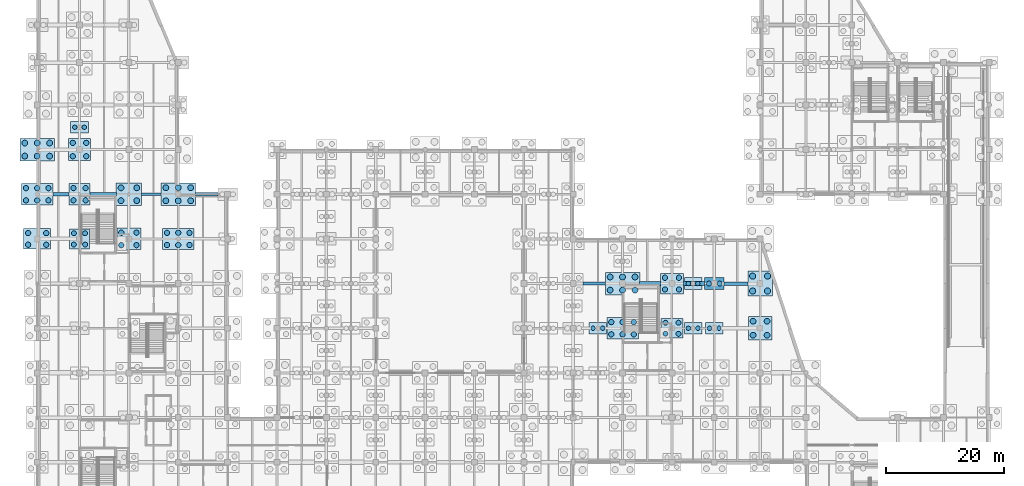
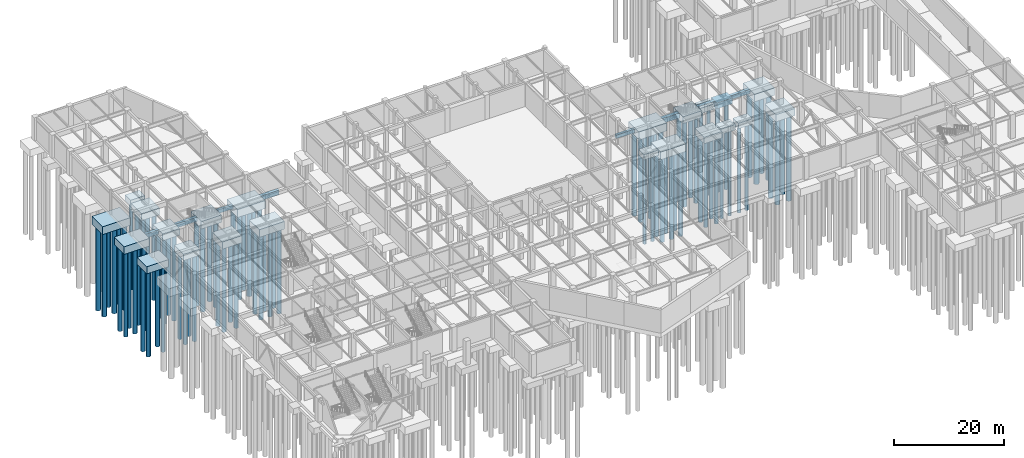
# One storey, part 7 of 52: 88 piles, 30 footings.
"""IFC4 building model written with IfcOpenShell, lengths in metres."""

from ifc_helpers import new_model, si_unit, direction, frame, origin, origin_2d, place, context, subcontext, project, spatial, rectangle, circle, extrude, material, material_profile, profile_set, type_object, element, save


model = new_model("IFC4")

# Units and contexts
model_context = context("Model", 3, precision=1e-05, world=origin(), true_north=direction((0.0, 1.0)))
body_context = subcontext(model_context, "Body", "Model", "MODEL_VIEW")
ifc_project = project(units=[si_unit("LENGTHUNIT", "METRE"), si_unit("AREAUNIT", "SQUARE_METRE"), si_unit("VOLUMEUNIT", "CUBIC_METRE"), si_unit("PLANEANGLEUNIT", "RADIAN"), si_unit("MASSUNIT", "GRAM", prefix="KILO")], contexts=[model_context])

# Site, building, storey
site_placement = place(None, origin())
site = spatial("IfcSite", under=ifc_project, at=site_placement, CompositionType="ELEMENT")
building_placement = place(site_placement, origin())
building = spatial("IfcBuilding", under=site, at=building_placement, Name="Xicomal Pleat Aquarium", CompositionType="ELEMENT")
storey_placement = place(building_placement, frame((0.0, 0.0, -5.39990234375)))
storey = spatial("IfcBuildingStorey", under=building, at=storey_placement, Name="B1", CompositionType="ELEMENT", Elevation=-5.39990234375)

# Footings
ifc_material_1 = material(Name="Concrete C40/50", Category="concrete")
ifc_material_profile_1 = material_profile(ifc_material_1, rectangle(XDim=0.5, YDim=0.800048828125, at=origin_2d()), Name="FB-01 500x800")
ifc_profile_set_1 = profile_set([ifc_material_profile_1], Name="Concrete C40/50")
footing_type_1 = type_object("IfcFootingType", Name="FTG-FB-500x800", PredefinedType="FOOTING_BEAM", material=ifc_profile_set_1)
footing_1_placement = place(storey_placement, frame((20.739990234375, 76.0, -1.0), z_axis=(1.0, 0.0, 0.0), x_axis=(0.0, 1.0, 0.0)))
element("IfcFooting", 1, at=footing_1_placement, inside=storey, type_object=footing_type_1, Name="Foundation tie beam 03-04/L", PredefinedType="FOOTING_BEAM", context=body_context, shape_type="SweptSolid", body=[
    extrude(rectangle(XDim=0.5, YDim=0.800048828125, at=origin_2d()), origin(), (0.0, 0.0, 1.0), 3.344970703125),
])
footing_2_placement = place(storey_placement, frame((95.889892578125, 60.800048828125, -1.35009765625), z_axis=(1.0, 0.0, 0.0), x_axis=(0.0, 1.0, 0.0)))
element("IfcFooting", 2, at=footing_2_placement, inside=storey, type_object=footing_type_1, Name="Foundation tie beam 12-13/J", PredefinedType="FOOTING_BEAM", context=body_context, shape_type="SweptSolid", body=[
    extrude(rectangle(XDim=0.5, YDim=0.800048828125, at=origin_2d()), origin(), (0.0, 0.0, 1.0), 3.795166015625),
])
ifc_material_2 = material(Name="Concrete C40/50", Category="concrete")
ifc_material_profile_2 = material_profile(ifc_material_2, rectangle(XDim=0.60009765625, YDim=0.89990234375, at=origin_2d()), Name="FB-02 600x900")
ifc_profile_set_2 = profile_set([ifc_material_profile_2], Name="Concrete C40/50")
footing_type_2 = type_object("IfcFootingType", Name="FTG-FB-600x900", PredefinedType="FOOTING_BEAM", material=ifc_profile_set_2)
footing_3_placement = place(storey_placement, frame((5.6650390625, 76.0, -1.050048828125), z_axis=(1.0, 0.0, 0.0), x_axis=(0.0, 1.0, 0.0)))
element("IfcFooting", 3, at=footing_3_placement, inside=storey, type_object=footing_type_2, Name="Foundation tie beam 01-02/L", PredefinedType="FOOTING_BEAM", context=body_context, shape_type="SweptSolid", body=[
    extrude(rectangle(XDim=0.60009765625, YDim=0.89990234375, at=origin_2d()), origin(), (0.0, 0.0, 1.0), 2.744873046875),
])
footing_4_placement = place(storey_placement, frame((11.989990234375, 76.0, -1.050048828125), z_axis=(1.0, 0.0, 0.0), x_axis=(0.0, 1.0, 0.0)))
element("IfcFooting", 4, at=footing_4_placement, inside=storey, type_object=footing_type_2, Name="Foundation tie beam 02-03/L", PredefinedType="FOOTING_BEAM", context=body_context, shape_type="SweptSolid", body=[
    extrude(rectangle(XDim=0.60009765625, YDim=0.89990234375, at=origin_2d()), origin(), (0.0, 0.0, 1.0), 4.469970703125),
])
footing_5_placement = place(storey_placement, frame((119.840087890625, 60.800048828125, -1.050048828125), z_axis=(1.0, 0.0, 0.0), x_axis=(0.0, 1.0, 0.0)))
element("IfcFooting", 5, at=footing_5_placement, inside=storey, type_object=footing_type_2, Name="Foundation tie beam 15-16/J", PredefinedType="FOOTING_BEAM", context=body_context, shape_type="SweptSolid", body=[
    extrude(rectangle(XDim=0.60009765625, YDim=0.89990234375, at=origin_2d()), origin(), (0.0, 0.0, 1.0), 4.06982421875),
])
ifc_material_3 = material(Name="Concrete C40/50", Category="concrete")
ifc_material_profile_3 = material_profile(ifc_material_3, rectangle(XDim=0.64990234375, YDim=1.0, at=origin_2d()), Name="FB-03 650x1000")
ifc_profile_set_3 = profile_set([ifc_material_profile_3], Name="Concrete C40/50")
footing_type_3 = type_object("IfcFootingType", Name="FTG-FB-650x1000", PredefinedType="FOOTING_BEAM", material=ifc_profile_set_3)
footing_6_placement = place(storey_placement, frame((29.9150390625, 76.0, -1.10009765625), z_axis=(1.0, 0.0, 0.0), x_axis=(0.0, 1.0, 0.0)))
element("IfcFooting", 6, at=footing_6_placement, inside=storey, type_object=footing_type_3, Name="Foundation tie beam 04-05/L", PredefinedType="FOOTING_BEAM", context=body_context, shape_type="SweptSolid", body=[
    extrude(rectangle(XDim=0.64990234375, YDim=1.0, at=origin_2d()), origin(), (0.0, 0.0, 1.0), 3.844970703125),
])
footing_7_placement = place(storey_placement, frame((112.93994140625, 60.800048828125, -1.10009765625), z_axis=(1.0, 0.0, 0.0), x_axis=(0.0, 1.0, 0.0)))
element("IfcFooting", 7, at=footing_7_placement, inside=storey, type_object=footing_type_3, Name="Foundation tie beam 14-15/J", PredefinedType="FOOTING_BEAM", context=body_context, shape_type="SweptSolid", body=[
    extrude(rectangle(XDim=0.64990234375, YDim=1.0, at=origin_2d()), origin(), (0.0, 0.0, 1.0), 3.6201171875),
])
ifc_material_4 = material(Name="Concrete C40/50", Category="concrete")
ifc_material_profile_4 = material_profile(ifc_material_4, rectangle(XDim=0.75, YDim=1.10009765625, at=origin_2d()), Name="FB-04 750x1100")
ifc_profile_set_4 = profile_set([ifc_material_profile_4], Name="Concrete C40/50")
footing_type_4 = type_object("IfcFootingType", Name="FTG-FB-750x1100", PredefinedType="FOOTING_BEAM", material=ifc_profile_set_4)
footing_8_placement = place(storey_placement, frame((105.514892578125, 60.800048828125, -1.150146484375), z_axis=(1.0, 0.0, 0.0), x_axis=(0.0, 1.0, 0.0)))
element("IfcFooting", 8, at=footing_8_placement, inside=storey, type_object=footing_type_4, Name="Foundation tie beam 13-14/J", PredefinedType="FOOTING_BEAM", context=body_context, shape_type="SweptSolid", body=[
    extrude(rectangle(XDim=0.75, YDim=1.10009765625, at=origin_2d()), origin(), (0.0, 0.0, 1.0), 3.545166015625),
])
ifc_material_5 = material(Name="Concrete C40/50", Category="concrete")
footing_type_5 = type_object("IfcFootingType", Name="FTG-PC-3000x2000x1200", PredefinedType="PILE_CAP", material=ifc_material_5)
for number, where, z_axis, x_axis, name in (
    (9, (118.199951171875, 53.199951171875, -1.80029296875), (0.0, 0.0, 1.0), (1.0, 0.0, 0.0), "Pile cap 15-H"),
    (10, (98.39990234375, 53.199951171875, -1.80029296875), (0.0, 0.0, 1.0), (1.0, 0.0, 0.0), "Pile cap SUB-21"),
    (11, (114.60009765625, 53.199951171875, -1.80029296875), (0.0, 0.0, 1.0), (1.0, 0.0, 0.0), "Pile cap SUB-22"),
    (12, (114.60009765625, 60.800048828125, -1.80029296875), (0.0, 0.0, 1.0), (1.0, 0.0, 0.0), "Pile cap SUB-23"),
    (13, (10.199951171875, 87.39990234375, -1.80029296875), (0.0, 0.0, 1.0), (1.0, 0.0, 0.0), "Pile cap SUB-33"),
):
    element("IfcFooting", number, at=place(storey_placement, frame(where, z_axis=z_axis, x_axis=x_axis)), inside=storey, type_object=footing_type_5, Name=name, PredefinedType="PILE_CAP", context=body_context, shape_type="SweptSolid", body=[
        extrude(rectangle(XDim=3.0, YDim=2.0, at=origin_2d()), origin(), (0.0, 0.0, 1.0), 1.199951171875),
    ])
ifc_material_6 = material(Name="Concrete C40/50", Category="concrete")
footing_type_6 = type_object("IfcFootingType", Name="FTG-PC-3300x2100x1300", PredefinedType="PILE_CAP", material=ifc_material_6)
footing_9_placement = place(storey_placement, frame((118.199951171875, 60.800048828125, -1.89990234375), z_axis=(0.0, 0.0, 1.0), x_axis=(1.0, 0.0, 0.0)))
element("IfcFooting", 14, at=footing_9_placement, inside=storey, type_object=footing_type_6, Name="Pile cap 15-J", PredefinedType="PILE_CAP", context=body_context, shape_type="SweptSolid", body=[
    extrude(rectangle(XDim=3.300048828125, YDim=2.10009765625, at=origin_2d()), origin(), (0.0, 0.0, 1.0), 1.300048828125),
])
ifc_material_7 = material(Name="Concrete C40/50", Category="concrete")
footing_type_7 = type_object("IfcFootingType", Name="FTG-PC-3400x3400x1400", PredefinedType="PILE_CAP", material=ifc_material_7)
footing_10_placement = place(storey_placement, frame((10.199951171875, 68.39990234375, -2.0), z_axis=(0.0, 0.0, 1.0), x_axis=(1.0, 0.0, 0.0)))
element("IfcFooting", 15, at=footing_10_placement, inside=storey, type_object=footing_type_7, Name="Pile cap 02-K", PredefinedType="PILE_CAP", context=body_context, shape_type="SweptSolid", body=[
    extrude(rectangle(XDim=3.39990234375, YDim=3.39990234375, at=origin_2d()), origin(), (0.0, 0.0, 1.0), 1.39990234375),
])
ifc_material_8 = material(Name="Concrete C40/50", Category="concrete")
footing_type_8 = type_object("IfcFootingType", Name="FTG-PC-3600x3600x1500", PredefinedType="PILE_CAP", material=ifc_material_8)
footing_11_placement = place(storey_placement, frame((10.199951171875, 76.0, -2.10009765625), z_axis=(0.0, 0.0, 1.0), x_axis=(1.0, 0.0, 0.0)))
element("IfcFooting", 16, at=footing_11_placement, inside=storey, type_object=footing_type_8, Name="Pile cap 02-L", PredefinedType="PILE_CAP", context=body_context, shape_type="SweptSolid", body=[
    extrude(rectangle(XDim=3.60009765625, YDim=3.60009765625, at=origin_2d()), origin(), (0.0, 0.0, 1.0), 1.5),
])
ifc_material_9 = material(Name="Concrete C40/50", Category="concrete")
footing_type_9 = type_object("IfcFootingType", Name="FTG-PC-3700x3350x1450", PredefinedType="PILE_CAP", material=ifc_material_9)
footing_12_placement = place(storey_placement, frame((111.0, 53.199951171875, -2.05029296875), z_axis=(0.0, 0.0, 1.0), x_axis=(1.0, 0.0, 0.0)))
element("IfcFooting", 17, at=footing_12_placement, inside=storey, type_object=footing_type_9, Name="Pile cap 14-H", PredefinedType="PILE_CAP", context=body_context, shape_type="SweptSolid", body=[
    extrude(rectangle(XDim=3.699951171875, YDim=3.35009765625, at=origin_2d()), origin(), (0.0, 0.0, 1.0), 1.449951171875),
])
ifc_material_10 = material(Name="Concrete C40/50", Category="concrete")
footing_type_10 = type_object("IfcFootingType", Name="FTG-PC-3800x3800x1550", PredefinedType="PILE_CAP", material=ifc_material_10)
footing_13_placement = place(storey_placement, frame((10.199951171875, 83.60009765625, -2.14990234375), z_axis=(0.0, 0.0, 1.0), x_axis=(1.0, 0.0, 0.0)))
element("IfcFooting", 18, at=footing_13_placement, inside=storey, type_object=footing_type_10, Name="Pile cap 02-M", PredefinedType="PILE_CAP", context=body_context, shape_type="SweptSolid", body=[
    extrude(rectangle(XDim=3.800048828125, YDim=3.800048828125, at=origin_2d()), origin(), (0.0, 0.0, 1.0), 1.550048828125),
])
ifc_material_11 = material(Name="Concrete C40/50", Category="concrete")
footing_type_11 = type_object("IfcFootingType", Name="FTG-PC-3900x3500x1500", PredefinedType="PILE_CAP", material=ifc_material_11)
footing_14_placement = place(storey_placement, frame((111.0, 60.800048828125, -2.10009765625), z_axis=(0.0, 0.0, 1.0), x_axis=(1.0, 0.0, 0.0)))
element("IfcFooting", 19, at=footing_14_placement, inside=storey, type_object=footing_type_11, Name="Pile cap 14-J", PredefinedType="PILE_CAP", context=body_context, shape_type="SweptSolid", body=[
    extrude(rectangle(XDim=3.89990234375, YDim=3.5, at=origin_2d()), origin(), (0.0, 0.0, 1.0), 1.5),
])
ifc_material_12 = material(Name="Concrete C40/50", Category="concrete")
footing_type_12 = type_object("IfcFootingType", Name="FTG-PC-4000x4000x1600", PredefinedType="PILE_CAP", material=ifc_material_12)
footing_15_placement = place(storey_placement, frame((126.0, 53.199951171875, -2.2001953125), z_axis=(0.0, 0.0, 1.0), x_axis=(1.0, 0.0, 0.0)))
element("IfcFooting", 20, at=footing_15_placement, inside=storey, type_object=footing_type_12, Name="Pile cap 16-H", PredefinedType="PILE_CAP", context=body_context, shape_type="SweptSolid", body=[
    extrude(rectangle(XDim=4.0, YDim=4.0, at=origin_2d()), origin(), (0.0, 0.0, 1.0), 1.60009765625),
])
ifc_material_13 = material(Name="Concrete C40/50", Category="concrete")
footing_type_13 = type_object("IfcFootingType", Name="FTG-PC-4100x3650x1600", PredefinedType="PILE_CAP", material=ifc_material_13)
footing_16_placement = place(storey_placement, frame((18.60009765625, 68.39990234375, -2.2001953125), z_axis=(0.0, 0.0, 1.0), x_axis=(1.0, 0.0, 0.0)))
element("IfcFooting", 21, at=footing_16_placement, inside=storey, type_object=footing_type_13, Name="Pile cap 03-K", PredefinedType="PILE_CAP", context=body_context, shape_type="SweptSolid", body=[
    extrude(rectangle(XDim=4.10009765625, YDim=3.64990234375, at=origin_2d()), origin(), (0.0, 0.0, 1.0), 1.60009765625),
])
ifc_material_14 = material(Name="Concrete C40/50", Category="concrete")
footing_type_14 = type_object("IfcFootingType", Name="FTG-PC-4200x4200x1650", PredefinedType="PILE_CAP", material=ifc_material_14)
footing_17_placement = place(storey_placement, frame((126.0, 60.800048828125, -2.25), z_axis=(0.0, 0.0, 1.0), x_axis=(1.0, 0.0, 0.0)))
element("IfcFooting", 22, at=footing_17_placement, inside=storey, type_object=footing_type_14, Name="Pile cap 16-J", PredefinedType="PILE_CAP", context=body_context, shape_type="SweptSolid", body=[
    extrude(rectangle(XDim=4.199951171875, YDim=4.199951171875, at=origin_2d()), origin(), (0.0, 0.0, 1.0), 1.64990234375),
])
ifc_material_15 = material(Name="Concrete C40/50", Category="concrete")
footing_type_15 = type_object("IfcFootingType", Name="FTG-PC-4300x3800x1650", PredefinedType="PILE_CAP", material=ifc_material_15)
footing_18_placement = place(storey_placement, frame((18.60009765625, 76.0, -2.25), z_axis=(0.0, 0.0, 1.0), x_axis=(1.0, 0.0, 0.0)))
element("IfcFooting", 23, at=footing_18_placement, inside=storey, type_object=footing_type_15, Name="Pile cap 03-L", PredefinedType="PILE_CAP", context=body_context, shape_type="SweptSolid", body=[
    extrude(rectangle(XDim=4.300048828125, YDim=3.800048828125, at=origin_2d()), origin(), (0.0, 0.0, 1.0), 1.64990234375),
])
ifc_material_16 = material(Name="Concrete C40/50", Category="concrete")
footing_type_16 = type_object("IfcFootingType", Name="FTG-PC-4600x3500x1600", PredefinedType="PILE_CAP", material=ifc_material_16)
footing_19_placement = place(storey_placement, frame((3.0, 68.39990234375, -2.2001953125), z_axis=(0.0, 0.0, 1.0), x_axis=(1.0, 0.0, 0.0)))
element("IfcFooting", 24, at=footing_19_placement, inside=storey, type_object=footing_type_16, Name="Pile cap 01-K", PredefinedType="PILE_CAP", context=body_context, shape_type="SweptSolid", body=[
    extrude(rectangle(XDim=4.60009765625, YDim=3.5, at=origin_2d()), origin(), (0.0, 0.0, 1.0), 1.60009765625),
])
ifc_material_17 = material(Name="Concrete C40/50", Category="concrete")
footing_type_17 = type_object("IfcFootingType", Name="FTG-PC-5350x3600x1700", PredefinedType="PILE_CAP", material=ifc_material_17)
for number, where, z_axis, x_axis, name in (
    (25, (3.0, 76.0, -2.30029296875), (0.0, 0.0, 1.0), (1.0, 0.0, 0.0), "Pile cap 01-L"),
    (26, (27.0, 68.39990234375, -2.30029296875), (0.0, 0.0, 1.0), (1.0, 0.0, 0.0), "Pile cap 04-K"),
    (27, (102.60009765625, 53.199951171875, -2.30029296875), (0.0, 0.0, 1.0), (1.0, 0.0, 0.0), "Pile cap 13-H"),
):
    element("IfcFooting", number, at=place(storey_placement, frame(where, z_axis=z_axis, x_axis=x_axis)), inside=storey, type_object=footing_type_17, Name=name, PredefinedType="PILE_CAP", context=body_context, shape_type="SweptSolid", body=[
        extrude(rectangle(XDim=5.35009765625, YDim=3.60009765625, at=origin_2d()), origin(), (0.0, 0.0, 1.0), 1.699951171875),
    ])
ifc_material_18 = material(Name="Concrete C40/50", Category="concrete")
footing_type_18 = type_object("IfcFootingType", Name="FTG-PC-5850x3850x1750", PredefinedType="PILE_CAP", material=ifc_material_18)
for number, where, z_axis, x_axis, name in (
    (28, (3.0, 83.60009765625, -2.35009765625), (0.0, 0.0, 1.0), (1.0, 0.0, 0.0), "Pile cap 01-M"),
    (29, (27.0, 76.0, -2.35009765625), (0.0, 0.0, 1.0), (1.0, 0.0, 0.0), "Pile cap 04-L"),
    (30, (102.60009765625, 60.800048828125, -2.35009765625), (0.0, 0.0, 1.0), (1.0, 0.0, 0.0), "Pile cap 13-J"),
):
    element("IfcFooting", number, at=place(storey_placement, frame(where, z_axis=z_axis, x_axis=x_axis)), inside=storey, type_object=footing_type_18, Name=name, PredefinedType="PILE_CAP", context=body_context, shape_type="SweptSolid", body=[
        extrude(rectangle(XDim=5.85009765625, YDim=3.85009765625, at=origin_2d()), origin(), (0.0, 0.0, 1.0), 1.75),
    ])

# Piles
ifc_material_19 = material(Name="Concrete C40/50", Category="concrete")
ifc_material_profile_5 = material_profile(ifc_material_19, circle(Radius=0.5, at=origin_2d()), Name="BORED PILE D1000")
ifc_profile_set_5 = profile_set([ifc_material_profile_5], Name="Concrete C40/50")
pile_type_1 = type_object("IfcPileType", Name="PIL-B-1000", PredefinedType="BORED", material=ifc_profile_set_5)
for number, where, z_axis, x_axis, name in (
    (31, (0.885009765625, 82.485107421875, -2.25), (0.0, 0.0, -1.0), (1.0, 0.0, 0.0), "Bored pile 01-M-1"),
    (32, (3.0, 82.485107421875, -2.25), (0.0, 0.0, -1.0), (1.0, 0.0, 0.0), "Bored pile 01-M-2"),
    (33, (5.114990234375, 82.485107421875, -2.25), (0.0, 0.0, -1.0), (1.0, 0.0, 0.0), "Bored pile 01-M-3"),
    (34, (0.885009765625, 84.715087890625, -2.25), (0.0, 0.0, -1.0), (1.0, 0.0, 0.0), "Bored pile 01-M-4"),
    (35, (3.0, 84.715087890625, -2.25), (0.0, 0.0, -1.0), (1.0, 0.0, 0.0), "Bored pile 01-M-5"),
    (36, (5.114990234375, 84.715087890625, -2.25), (0.0, 0.0, -1.0), (1.0, 0.0, 0.0), "Bored pile 01-M-6"),
):
    element("IfcPile", number, at=place(storey_placement, frame(where, z_axis=z_axis, x_axis=x_axis)), inside=storey, type_object=pile_type_1, Name=name, PredefinedType="BORED", context=body_context, shape_type="SweptSolid", body=[
        extrude(circle(Radius=0.5, at=origin_2d()), origin(), (0.0, 0.0, 1.0), 18.85009765625),
    ])
for number, where, z_axis, x_axis, name in (
    (37, (17.260009765625, 74.909912109375, -2.150146484375), (0.0, 0.0, -1.0), (1.0, 0.0, 0.0), "Bored pile 03-L-1"),
    (38, (19.93994140625, 74.909912109375, -2.150146484375), (0.0, 0.0, -1.0), (1.0, 0.0, 0.0), "Bored pile 03-L-2"),
    (39, (17.260009765625, 77.090087890625, -2.150146484375), (0.0, 0.0, -1.0), (1.0, 0.0, 0.0), "Bored pile 03-L-3"),
    (40, (19.93994140625, 77.090087890625, -2.150146484375), (0.0, 0.0, -1.0), (1.0, 0.0, 0.0), "Bored pile 03-L-4"),
):
    element("IfcPile", number, at=place(storey_placement, frame(where, z_axis=z_axis, x_axis=x_axis)), inside=storey, type_object=pile_type_1, Name=name, PredefinedType="BORED", context=body_context, shape_type="SweptSolid", body=[
        extrude(circle(Radius=0.5, at=origin_2d()), origin(), (0.0, 0.0, 1.0), 18.949951171875),
    ])
for number, where, z_axis, x_axis, name in (
    (41, (24.885009765625, 74.885009765625, -2.25), (0.0, 0.0, -1.0), (1.0, 0.0, 0.0), "Bored pile 04-L-1"),
    (42, (27.0, 74.885009765625, -2.25), (0.0, 0.0, -1.0), (1.0, 0.0, 0.0), "Bored pile 04-L-2"),
    (43, (29.114990234375, 74.885009765625, -2.25), (0.0, 0.0, -1.0), (1.0, 0.0, 0.0), "Bored pile 04-L-3"),
    (44, (24.885009765625, 77.114990234375, -2.25), (0.0, 0.0, -1.0), (1.0, 0.0, 0.0), "Bored pile 04-L-4"),
    (45, (27.0, 77.114990234375, -2.25), (0.0, 0.0, -1.0), (1.0, 0.0, 0.0), "Bored pile 04-L-5"),
    (46, (29.114990234375, 77.114990234375, -2.25), (0.0, 0.0, -1.0), (1.0, 0.0, 0.0), "Bored pile 04-L-6"),
    (47, (100.485107421875, 59.68505859375, -2.25), (0.0, 0.0, -1.0), (1.0, 0.0, 0.0), "Bored pile 13-J-1"),
    (48, (102.60009765625, 59.68505859375, -2.25), (0.0, 0.0, -1.0), (1.0, 0.0, 0.0), "Bored pile 13-J-2"),
    (49, (104.715087890625, 59.68505859375, -2.25), (0.0, 0.0, -1.0), (1.0, 0.0, 0.0), "Bored pile 13-J-3"),
    (50, (100.485107421875, 61.9150390625, -2.25), (0.0, 0.0, -1.0), (1.0, 0.0, 0.0), "Bored pile 13-J-4"),
    (51, (102.60009765625, 61.9150390625, -2.25), (0.0, 0.0, -1.0), (1.0, 0.0, 0.0), "Bored pile 13-J-5"),
    (52, (104.715087890625, 61.9150390625, -2.25), (0.0, 0.0, -1.0), (1.0, 0.0, 0.0), "Bored pile 13-J-6"),
):
    element("IfcPile", number, at=place(storey_placement, frame(where, z_axis=z_axis, x_axis=x_axis)), inside=storey, type_object=pile_type_1, Name=name, PredefinedType="BORED", context=body_context, shape_type="SweptSolid", body=[
        extrude(circle(Radius=0.5, at=origin_2d()), origin(), (0.0, 0.0, 1.0), 18.85009765625),
    ])
for number, where, z_axis, x_axis, name in (
    (53, (124.81005859375, 52.010009765625, -2.10009765625), (0.0, 0.0, -1.0), (1.0, 0.0, 0.0), "Bored pile 16-H-1"),
    (54, (127.18994140625, 52.010009765625, -2.10009765625), (0.0, 0.0, -1.0), (1.0, 0.0, 0.0), "Bored pile 16-H-2"),
    (55, (124.81005859375, 54.389892578125, -2.10009765625), (0.0, 0.0, -1.0), (1.0, 0.0, 0.0), "Bored pile 16-H-3"),
    (56, (127.18994140625, 54.389892578125, -2.10009765625), (0.0, 0.0, -1.0), (1.0, 0.0, 0.0), "Bored pile 16-H-4"),
):
    element("IfcPile", number, at=place(storey_placement, frame(where, z_axis=z_axis, x_axis=x_axis)), inside=storey, type_object=pile_type_1, Name=name, PredefinedType="BORED", context=body_context, shape_type="SweptSolid", body=[
        extrude(circle(Radius=0.5, at=origin_2d()), origin(), (0.0, 0.0, 1.0), 19.0),
    ])
ifc_material_20 = material(Name="Concrete C40/50", Category="concrete")
ifc_material_profile_6 = material_profile(ifc_material_20, circle(Radius=0.52490234375, at=origin_2d()), Name="BORED PILE D1050")
ifc_profile_set_6 = profile_set([ifc_material_profile_6], Name="Concrete C40/50")
pile_type_2 = type_object("IfcPileType", Name="PIL-B-1050", PredefinedType="BORED", material=ifc_profile_set_6)
for number, where, z_axis, x_axis, name in (
    (57, (124.735107421875, 59.534912109375, -2.150146484375), (0.0, 0.0, -1.0), (1.0, 0.0, 0.0), "Bored pile 16-J-1"),
    (58, (127.264892578125, 59.534912109375, -2.150146484375), (0.0, 0.0, -1.0), (1.0, 0.0, 0.0), "Bored pile 16-J-2"),
    (59, (124.735107421875, 62.06494140625, -2.150146484375), (0.0, 0.0, -1.0), (1.0, 0.0, 0.0), "Bored pile 16-J-3"),
    (60, (127.264892578125, 62.06494140625, -2.150146484375), (0.0, 0.0, -1.0), (1.0, 0.0, 0.0), "Bored pile 16-J-4"),
):
    element("IfcPile", number, at=place(storey_placement, frame(where, z_axis=z_axis, x_axis=x_axis)), inside=storey, type_object=pile_type_2, Name=name, PredefinedType="BORED", context=body_context, shape_type="SweptSolid", body=[
        extrude(circle(Radius=0.52490234375, at=origin_2d()), origin(), (0.0, 0.0, 1.0), 18.949951171875),
    ])
ifc_material_21 = material(Name="Concrete C40/50", Category="concrete")
ifc_material_profile_7 = material_profile(ifc_material_21, circle(Radius=0.375, at=origin_2d()), Name="BORED PILE D750")
ifc_profile_set_7 = profile_set([ifc_material_profile_7], Name="Concrete C40/50")
pile_type_3 = type_object("IfcPileType", Name="PIL-B-750", PredefinedType="BORED", material=ifc_profile_set_7)
for number, where, z_axis, x_axis, name in (
    (61, (117.385009765625, 53.199951171875, -1.7001953125), (0.0, 0.0, -1.0), (1.0, 0.0, 0.0), "Bored pile 15-H-1"),
    (62, (119.014892578125, 53.199951171875, -1.7001953125), (0.0, 0.0, -1.0), (1.0, 0.0, 0.0), "Bored pile 15-H-2"),
    (63, (97.5849609375, 53.199951171875, -1.7001953125), (0.0, 0.0, -1.0), (1.0, 0.0, 0.0), "Bored pile SUB-21-1"),
    (64, (99.215087890625, 53.199951171875, -1.7001953125), (0.0, 0.0, -1.0), (1.0, 0.0, 0.0), "Bored pile SUB-21-2"),
    (65, (113.784912109375, 53.199951171875, -1.7001953125), (0.0, 0.0, -1.0), (1.0, 0.0, 0.0), "Bored pile SUB-22-1"),
    (66, (115.4150390625, 53.199951171875, -1.7001953125), (0.0, 0.0, -1.0), (1.0, 0.0, 0.0), "Bored pile SUB-22-2"),
    (67, (113.784912109375, 60.800048828125, -1.7001953125), (0.0, 0.0, -1.0), (1.0, 0.0, 0.0), "Bored pile SUB-23-1"),
    (68, (115.4150390625, 60.800048828125, -1.7001953125), (0.0, 0.0, -1.0), (1.0, 0.0, 0.0), "Bored pile SUB-23-2"),
    (69, (9.385009765625, 87.39990234375, -1.7001953125), (0.0, 0.0, -1.0), (1.0, 0.0, 0.0), "Bored pile SUB-33-1"),
    (70, (11.014892578125, 87.39990234375, -1.7001953125), (0.0, 0.0, -1.0), (1.0, 0.0, 0.0), "Bored pile SUB-33-2"),
):
    element("IfcPile", number, at=place(storey_placement, frame(where, z_axis=z_axis, x_axis=x_axis)), inside=storey, type_object=pile_type_3, Name=name, PredefinedType="BORED", context=body_context, shape_type="SweptSolid", body=[
        extrude(circle(Radius=0.375, at=origin_2d()), origin(), (0.0, 0.0, 1.0), 19.39990234375),
    ])
ifc_material_22 = material(Name="Concrete C40/50", Category="concrete")
ifc_material_profile_8 = material_profile(ifc_material_22, circle(Radius=0.425048828125, at=origin_2d()), Name="BORED PILE D850")
ifc_profile_set_8 = profile_set([ifc_material_profile_8], Name="Concrete C40/50")
pile_type_4 = type_object("IfcPileType", Name="PIL-B-850", PredefinedType="BORED", material=ifc_profile_set_8)
for number, where, z_axis, x_axis, name in (
    (71, (9.235107421875, 67.43505859375, -1.900146484375), (0.0, 0.0, -1.0), (1.0, 0.0, 0.0), "Bored pile 02-K-1"),
    (72, (11.1650390625, 67.43505859375, -1.900146484375), (0.0, 0.0, -1.0), (1.0, 0.0, 0.0), "Bored pile 02-K-2"),
    (73, (9.235107421875, 69.364990234375, -1.900146484375), (0.0, 0.0, -1.0), (1.0, 0.0, 0.0), "Bored pile 02-K-3"),
    (74, (11.1650390625, 69.364990234375, -1.900146484375), (0.0, 0.0, -1.0), (1.0, 0.0, 0.0), "Bored pile 02-K-4"),
):
    element("IfcPile", number, at=place(storey_placement, frame(where, z_axis=z_axis, x_axis=x_axis)), inside=storey, type_object=pile_type_4, Name=name, PredefinedType="BORED", context=body_context, shape_type="SweptSolid", body=[
        extrude(circle(Radius=0.425048828125, at=origin_2d()), origin(), (0.0, 0.0, 1.0), 19.199951171875),
    ])
for number, where, z_axis, x_axis, name in (
    (75, (109.885009765625, 52.260009765625, -1.9501953125), (0.0, 0.0, -1.0), (1.0, 0.0, 0.0), "Bored pile 14-H-1"),
    (76, (112.114990234375, 52.260009765625, -1.9501953125), (0.0, 0.0, -1.0), (1.0, 0.0, 0.0), "Bored pile 14-H-2"),
    (77, (109.885009765625, 54.139892578125, -1.9501953125), (0.0, 0.0, -1.0), (1.0, 0.0, 0.0), "Bored pile 14-H-3"),
    (78, (112.114990234375, 54.139892578125, -1.9501953125), (0.0, 0.0, -1.0), (1.0, 0.0, 0.0), "Bored pile 14-H-4"),
):
    element("IfcPile", number, at=place(storey_placement, frame(where, z_axis=z_axis, x_axis=x_axis)), inside=storey, type_object=pile_type_4, Name=name, PredefinedType="BORED", context=body_context, shape_type="SweptSolid", body=[
        extrude(circle(Radius=0.425048828125, at=origin_2d()), origin(), (0.0, 0.0, 1.0), 19.14990234375),
    ])
for number, where, z_axis, x_axis, name in (
    (79, (117.284912109375, 60.800048828125, -1.800048828125), (0.0, 0.0, -1.0), (1.0, 0.0, 0.0), "Bored pile 15-J-1"),
    (80, (119.114990234375, 60.800048828125, -1.800048828125), (0.0, 0.0, -1.0), (1.0, 0.0, 0.0), "Bored pile 15-J-2"),
):
    element("IfcPile", number, at=place(storey_placement, frame(where, z_axis=z_axis, x_axis=x_axis)), inside=storey, type_object=pile_type_4, Name=name, PredefinedType="BORED", context=body_context, shape_type="SweptSolid", body=[
        extrude(circle(Radius=0.425048828125, at=origin_2d()), origin(), (0.0, 0.0, 1.0), 19.300048828125),
    ])
ifc_material_23 = material(Name="Concrete C40/50", Category="concrete")
ifc_material_profile_9 = material_profile(ifc_material_23, circle(Radius=0.449951171875, at=origin_2d()), Name="BORED PILE D900")
ifc_profile_set_9 = profile_set([ifc_material_profile_9], Name="Concrete C40/50")
pile_type_5 = type_object("IfcPileType", Name="PIL-B-900", PredefinedType="BORED", material=ifc_profile_set_9)
for number, where, z_axis, x_axis, name in (
    (81, (1.4599609375, 67.409912109375, -2.10009765625), (0.0, 0.0, -1.0), (1.0, 0.0, 0.0), "Bored pile 01-K-1"),
    (82, (4.5400390625, 67.409912109375, -2.10009765625), (0.0, 0.0, -1.0), (1.0, 0.0, 0.0), "Bored pile 01-K-2"),
    (83, (1.4599609375, 69.389892578125, -2.10009765625), (0.0, 0.0, -1.0), (1.0, 0.0, 0.0), "Bored pile 01-K-3"),
    (84, (4.5400390625, 69.389892578125, -2.10009765625), (0.0, 0.0, -1.0), (1.0, 0.0, 0.0), "Bored pile 01-K-4"),
):
    element("IfcPile", number, at=place(storey_placement, frame(where, z_axis=z_axis, x_axis=x_axis)), inside=storey, type_object=pile_type_5, Name=name, PredefinedType="BORED", context=body_context, shape_type="SweptSolid", body=[
        extrude(circle(Radius=0.449951171875, at=origin_2d()), origin(), (0.0, 0.0, 1.0), 19.0),
    ])
for number, where, z_axis, x_axis, name in (
    (85, (1.0849609375, 74.9599609375, -2.2001953125), (0.0, 0.0, -1.0), (1.0, 0.0, 0.0), "Bored pile 01-L-1"),
    (86, (3.0, 74.9599609375, -2.2001953125), (0.0, 0.0, -1.0), (1.0, 0.0, 0.0), "Bored pile 01-L-2"),
    (87, (4.9150390625, 74.9599609375, -2.2001953125), (0.0, 0.0, -1.0), (1.0, 0.0, 0.0), "Bored pile 01-L-3"),
    (88, (1.0849609375, 77.0400390625, -2.2001953125), (0.0, 0.0, -1.0), (1.0, 0.0, 0.0), "Bored pile 01-L-4"),
    (89, (3.0, 77.0400390625, -2.2001953125), (0.0, 0.0, -1.0), (1.0, 0.0, 0.0), "Bored pile 01-L-5"),
    (90, (4.9150390625, 77.0400390625, -2.2001953125), (0.0, 0.0, -1.0), (1.0, 0.0, 0.0), "Bored pile 01-L-6"),
):
    element("IfcPile", number, at=place(storey_placement, frame(where, z_axis=z_axis, x_axis=x_axis)), inside=storey, type_object=pile_type_5, Name=name, PredefinedType="BORED", context=body_context, shape_type="SweptSolid", body=[
        extrude(circle(Radius=0.449951171875, at=origin_2d()), origin(), (0.0, 0.0, 1.0), 18.89990234375),
    ])
for number, where, z_axis, x_axis, name in (
    (91, (9.159912109375, 74.9599609375, -2.0), (0.0, 0.0, -1.0), (1.0, 0.0, 0.0), "Bored pile 02-L-1"),
    (92, (11.239990234375, 74.9599609375, -2.0), (0.0, 0.0, -1.0), (1.0, 0.0, 0.0), "Bored pile 02-L-2"),
    (93, (9.159912109375, 77.0400390625, -2.0), (0.0, 0.0, -1.0), (1.0, 0.0, 0.0), "Bored pile 02-L-3"),
    (94, (11.239990234375, 77.0400390625, -2.0), (0.0, 0.0, -1.0), (1.0, 0.0, 0.0), "Bored pile 02-L-4"),
):
    element("IfcPile", number, at=place(storey_placement, frame(where, z_axis=z_axis, x_axis=x_axis)), inside=storey, type_object=pile_type_5, Name=name, PredefinedType="BORED", context=body_context, shape_type="SweptSolid", body=[
        extrude(circle(Radius=0.449951171875, at=origin_2d()), origin(), (0.0, 0.0, 1.0), 19.10009765625),
    ])
for number, where, z_axis, x_axis, name in (
    (95, (9.06005859375, 82.4599609375, -2.050048828125), (0.0, 0.0, -1.0), (1.0, 0.0, 0.0), "Bored pile 02-M-1"),
    (96, (11.340087890625, 82.4599609375, -2.050048828125), (0.0, 0.0, -1.0), (1.0, 0.0, 0.0), "Bored pile 02-M-2"),
    (97, (9.06005859375, 84.739990234375, -2.050048828125), (0.0, 0.0, -1.0), (1.0, 0.0, 0.0), "Bored pile 02-M-3"),
    (98, (11.340087890625, 84.739990234375, -2.050048828125), (0.0, 0.0, -1.0), (1.0, 0.0, 0.0), "Bored pile 02-M-4"),
):
    element("IfcPile", number, at=place(storey_placement, frame(where, z_axis=z_axis, x_axis=x_axis)), inside=storey, type_object=pile_type_5, Name=name, PredefinedType="BORED", context=body_context, shape_type="SweptSolid", body=[
        extrude(circle(Radius=0.449951171875, at=origin_2d()), origin(), (0.0, 0.0, 1.0), 19.050048828125),
    ])
for number, where, z_axis, x_axis, name in (
    (99, (17.31005859375, 67.3349609375, -2.10009765625), (0.0, 0.0, -1.0), (1.0, 0.0, 0.0), "Bored pile 03-K-1"),
    (100, (19.889892578125, 67.3349609375, -2.10009765625), (0.0, 0.0, -1.0), (1.0, 0.0, 0.0), "Bored pile 03-K-2"),
    (101, (17.31005859375, 69.465087890625, -2.10009765625), (0.0, 0.0, -1.0), (1.0, 0.0, 0.0), "Bored pile 03-K-3"),
    (102, (19.889892578125, 69.465087890625, -2.10009765625), (0.0, 0.0, -1.0), (1.0, 0.0, 0.0), "Bored pile 03-K-4"),
):
    element("IfcPile", number, at=place(storey_placement, frame(where, z_axis=z_axis, x_axis=x_axis)), inside=storey, type_object=pile_type_5, Name=name, PredefinedType="BORED", context=body_context, shape_type="SweptSolid", body=[
        extrude(circle(Radius=0.449951171875, at=origin_2d()), origin(), (0.0, 0.0, 1.0), 19.0),
    ])
for number, where, z_axis, x_axis, name in (
    (103, (25.0849609375, 67.360107421875, -2.2001953125), (0.0, 0.0, -1.0), (1.0, 0.0, 0.0), "Bored pile 04-K-1"),
    (104, (27.0, 67.360107421875, -2.2001953125), (0.0, 0.0, -1.0), (1.0, 0.0, 0.0), "Bored pile 04-K-2"),
    (105, (28.9150390625, 67.360107421875, -2.2001953125), (0.0, 0.0, -1.0), (1.0, 0.0, 0.0), "Bored pile 04-K-3"),
    (106, (25.0849609375, 69.43994140625, -2.2001953125), (0.0, 0.0, -1.0), (1.0, 0.0, 0.0), "Bored pile 04-K-4"),
    (107, (27.0, 69.43994140625, -2.2001953125), (0.0, 0.0, -1.0), (1.0, 0.0, 0.0), "Bored pile 04-K-5"),
    (108, (28.9150390625, 69.43994140625, -2.2001953125), (0.0, 0.0, -1.0), (1.0, 0.0, 0.0), "Bored pile 04-K-6"),
    (109, (100.68505859375, 52.159912109375, -2.2001953125), (0.0, 0.0, -1.0), (1.0, 0.0, 0.0), "Bored pile 13-H-1"),
    (110, (102.60009765625, 52.159912109375, -2.2001953125), (0.0, 0.0, -1.0), (1.0, 0.0, 0.0), "Bored pile 13-H-2"),
    (111, (104.514892578125, 52.159912109375, -2.2001953125), (0.0, 0.0, -1.0), (1.0, 0.0, 0.0), "Bored pile 13-H-3"),
    (112, (100.68505859375, 54.239990234375, -2.2001953125), (0.0, 0.0, -1.0), (1.0, 0.0, 0.0), "Bored pile 13-H-4"),
    (113, (102.60009765625, 54.239990234375, -2.2001953125), (0.0, 0.0, -1.0), (1.0, 0.0, 0.0), "Bored pile 13-H-5"),
    (114, (104.514892578125, 54.239990234375, -2.2001953125), (0.0, 0.0, -1.0), (1.0, 0.0, 0.0), "Bored pile 13-H-6"),
):
    element("IfcPile", number, at=place(storey_placement, frame(where, z_axis=z_axis, x_axis=x_axis)), inside=storey, type_object=pile_type_5, Name=name, PredefinedType="BORED", context=body_context, shape_type="SweptSolid", body=[
        extrude(circle(Radius=0.449951171875, at=origin_2d()), origin(), (0.0, 0.0, 1.0), 18.89990234375),
    ])
for number, where, z_axis, x_axis, name in (
    (115, (109.81005859375, 59.81005859375, -2.0), (0.0, 0.0, -1.0), (1.0, 0.0, 0.0), "Bored pile 14-J-1"),
    (116, (112.18994140625, 59.81005859375, -2.0), (0.0, 0.0, -1.0), (1.0, 0.0, 0.0), "Bored pile 14-J-2"),
    (117, (109.81005859375, 61.7900390625, -2.0), (0.0, 0.0, -1.0), (1.0, 0.0, 0.0), "Bored pile 14-J-3"),
    (118, (112.18994140625, 61.7900390625, -2.0), (0.0, 0.0, -1.0), (1.0, 0.0, 0.0), "Bored pile 14-J-4"),
):
    element("IfcPile", number, at=place(storey_placement, frame(where, z_axis=z_axis, x_axis=x_axis)), inside=storey, type_object=pile_type_5, Name=name, PredefinedType="BORED", context=body_context, shape_type="SweptSolid", body=[
        extrude(circle(Radius=0.449951171875, at=origin_2d()), origin(), (0.0, 0.0, 1.0), 19.10009765625),
    ])

save(model, "model.ifc")
